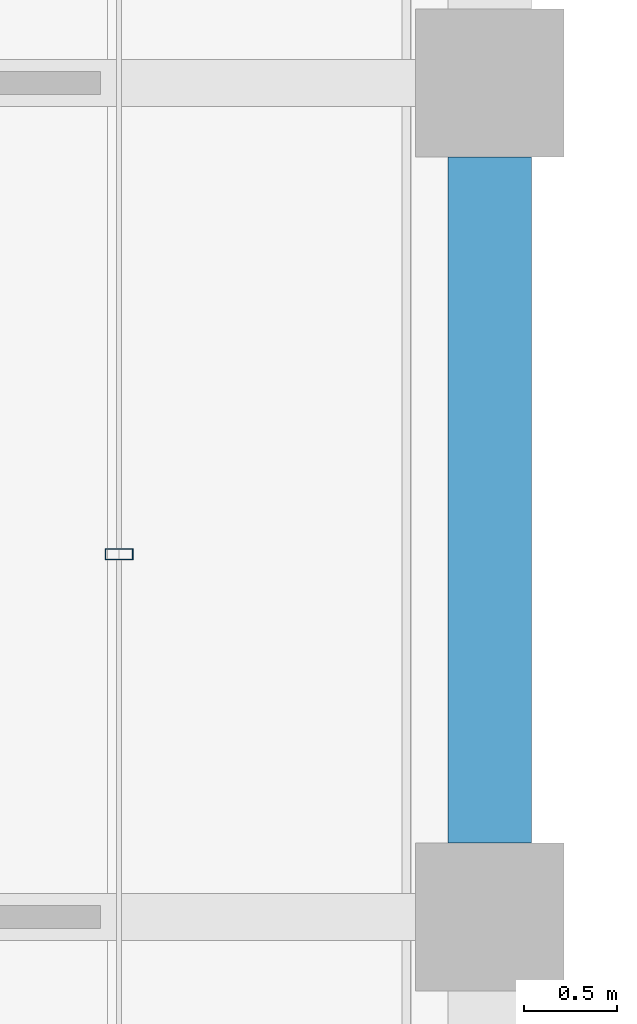
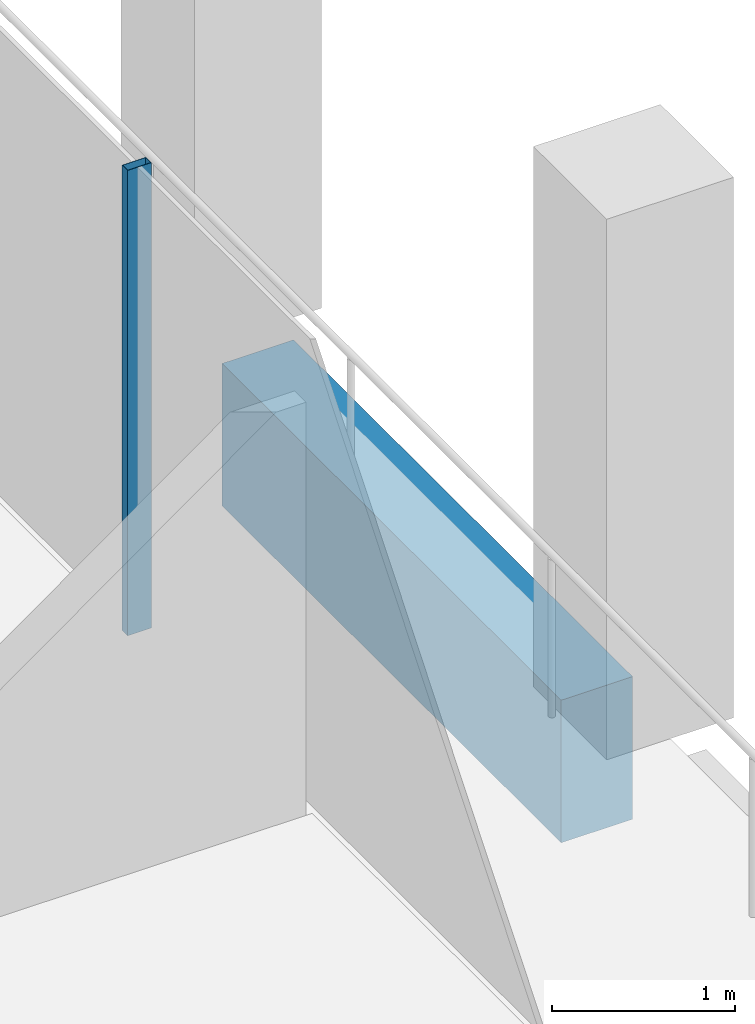
# One storey, part 19 of 62: 1 beam, 1 member, 1 element without a shape of its own.
"""IFC4 building model written with IfcOpenShell, lengths in metres."""

from ifc_helpers import new_model, si_unit, direction, frame, origin, origin_2d, place, context, subcontext, project, spatial, rectangle, hollow_rectangle, extrude, material, material_profile, profile_set, type_object, element, aggregate, save


model = new_model("IFC4")

# Units and contexts
model_context = context("Model", 3, precision=1e-05, world=origin(), true_north=direction((0.0, 1.0)))
body_context = subcontext(model_context, "Body", "Model", "MODEL_VIEW")
ifc_project = project(units=[si_unit("LENGTHUNIT", "METRE"), si_unit("AREAUNIT", "SQUARE_METRE"), si_unit("VOLUMEUNIT", "CUBIC_METRE"), si_unit("PLANEANGLEUNIT", "RADIAN"), si_unit("MASSUNIT", "GRAM", prefix="KILO")], contexts=[model_context])

# Site, building, storey
site_placement = place(None, origin())
site = spatial("IfcSite", under=ifc_project, at=site_placement, CompositionType="ELEMENT")
building_placement = place(site_placement, origin())
building = spatial("IfcBuilding", under=site, at=building_placement, Name="Altepetl Exchange Towers", CompositionType="ELEMENT")
storey_placement = place(building_placement, frame((0.0, 0.0, 210.0)))
storey = spatial("IfcBuildingStorey", under=building, at=storey_placement, Name="L53", CompositionType="ELEMENT", Elevation=210.0)

# Curtain wall, member
ifc_material_1 = material(Name="Aluminium 6063-T6 glazing", Category="aluminium")
curtain_wall_type = type_object("IfcCurtainWallType", Name="Loggia glazing system", PredefinedType="NOTDEFINED", material=ifc_material_1)
curtain_wall_placement = place(storey_placement, origin())
curtain_wall = element("IfcCurtainWall", 1, at=curtain_wall_placement, inside=storey, type_object=curtain_wall_type, Name="CW1 run", PredefinedType="NOTDEFINED")
ifc_material_2 = material(Name="Aluminium 6063-T6", Category="aluminium")
ifc_material_profile_1 = material_profile(ifc_material_2, hollow_rectangle(XDim=0.06005859375, YDim=0.14990234375, WallThickness=0.0029296875, at=origin_2d()), Name="Mullion 60x150 aluminium")
ifc_profile_set_1 = profile_set([ifc_material_profile_1], Name="Aluminium 6063-T6")
member_type = type_object("IfcMemberType", Name="Mullion 60x150 aluminium", PredefinedType="MULLION", material=ifc_profile_set_1)
member_placement = place(storey_placement, frame((70.0, 46.9580078125, 0.0), z_axis=(0.0, 0.0, 1.0), x_axis=(0.0, 1.0, 0.0)))
member = element("IfcMember", 2, at=member_placement, type_object=member_type, Name="MU1 mullion", PredefinedType="MULLION", context=body_context, shape_type="SweptSolid", body=[
    extrude(hollow_rectangle(XDim=0.06005859375, YDim=0.14990234375, WallThickness=0.0029296875, at=origin_2d()), origin(), (0.0, 0.0, 1.0), 3.10009765625),
])
aggregate(curtain_wall, [member])

# Beam
ifc_material_3 = material(Name="Concrete C50/60 precast with cantera amarilla facing", Category="concrete")
ifc_material_profile_2 = material_profile(ifc_material_3, rectangle(XDim=0.449951171875, YDim=0.949951171875, at=origin_2d()), Name="450 x 950")
ifc_profile_set_2 = profile_set([ifc_material_profile_2], Name="Concrete C50/60 precast with cantera amarilla facing")
beam_type = type_object("IfcBeamType", Name="Spandrel beam 450x950 cantera amarilla", PredefinedType="SPANDREL", material=ifc_profile_set_2)
beam_placement = place(storey_placement, frame((72.0, 45.39990234375, -0.625), z_axis=(0.0, 1.0, 0.0), x_axis=(-1.0, 0.0, 0.0)))
element("IfcBeam", 3, at=beam_placement, inside=storey, type_object=beam_type, Name="sp:A:L53:015", PredefinedType="SPANDREL", context=body_context, shape_type="SweptSolid", body=[
    extrude(rectangle(XDim=0.449951171875, YDim=0.949951171875, at=origin_2d()), origin(), (0.0, 0.0, 1.0), 3.7001953125),
])

save(model, "model.ifc")
